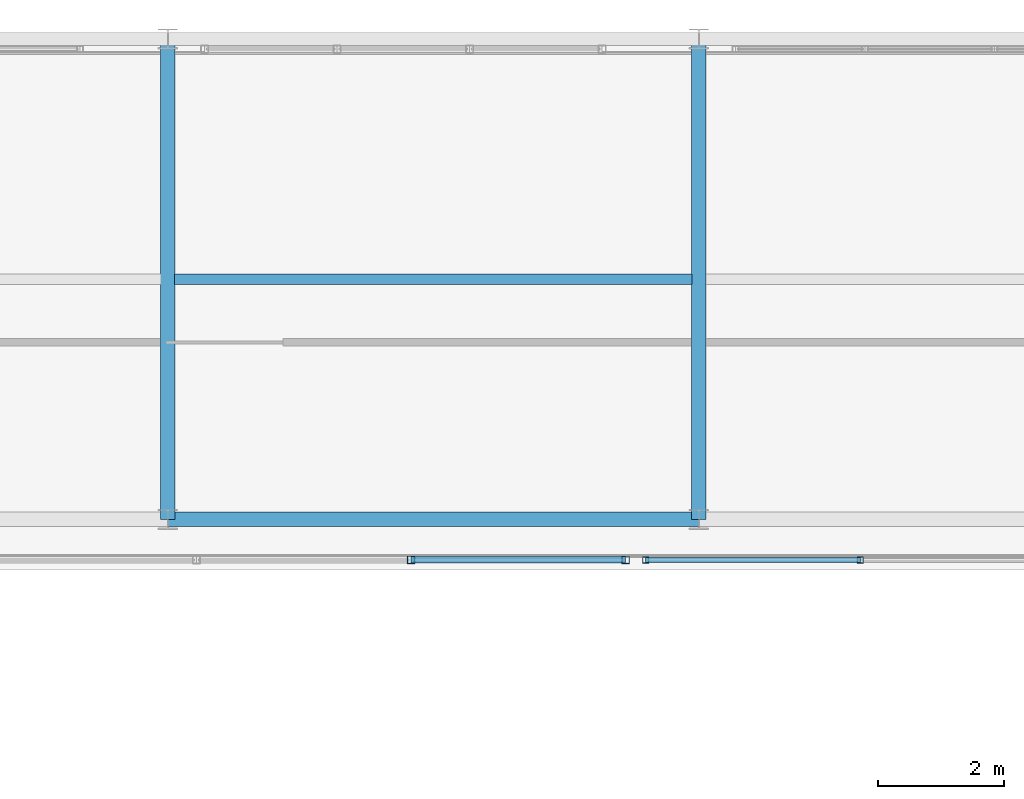
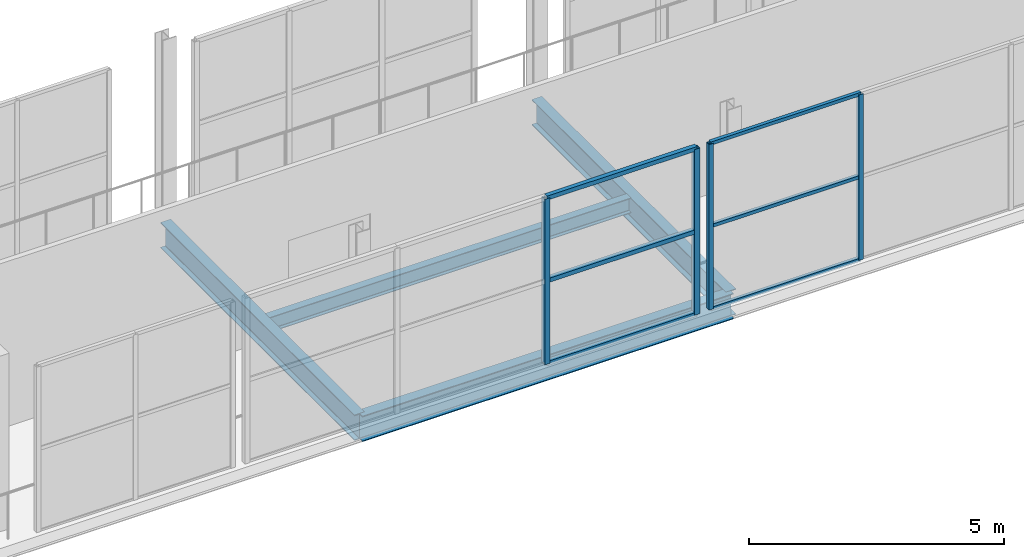
# One storey, part 78 of 151: 10 members, 4 beams, 2 elements without a shape of their own.
"""IFC4 building model written with IfcOpenShell, lengths in metres."""

from ifc_helpers import new_model, si_unit, direction, frame, origin, origin_2d, place, context, subcontext, project, spatial, hollow_rectangle, i_section, extrude, material, material_profile, profile_set, type_object, element, aggregate, save


model = new_model("IFC4")

# Units and contexts
model_context = context("Model", 3, precision=1e-05, world=origin(), true_north=direction((0.0, 1.0)))
body_context = subcontext(model_context, "Body", "Model", "MODEL_VIEW")
ifc_project = project(units=[si_unit("LENGTHUNIT", "METRE"), si_unit("AREAUNIT", "SQUARE_METRE"), si_unit("VOLUMEUNIT", "CUBIC_METRE"), si_unit("PLANEANGLEUNIT", "RADIAN"), si_unit("MASSUNIT", "GRAM", prefix="KILO")], contexts=[model_context])

# Site, building, storey
site_placement = place(None, origin())
site = spatial("IfcSite", under=ifc_project, at=site_placement, CompositionType="ELEMENT")
building_placement = place(site_placement, origin())
building = spatial("IfcBuilding", under=site, at=building_placement, Name="Zuvorla Pavilion Media Centre", CompositionType="ELEMENT")
storey_placement = place(building_placement, frame((0.0, 0.0, 13.800048828125)))
storey = spatial("IfcBuildingStorey", under=building, at=storey_placement, Name="L03", CompositionType="ELEMENT", Elevation=13.800048828125)

# Beams
ifc_material_1 = material(Name="Steel S355", Category="steel")
ifc_material_profile_1 = material_profile(ifc_material_1, i_section(OverallWidth=0.172119140625, OverallDepth=0.35791015625, WebThickness=0.008056640625, FlangeThickness=0.012939453125, FilletRadius=0.01025390625, at=origin_2d()), Name="UB 356x171x57")
ifc_profile_set_1 = profile_set([ifc_material_profile_1], Name="Steel S355")
beam_type_1 = type_object("IfcBeamType", Name="BM-UB356", PredefinedType="JOIST", material=ifc_profile_set_1)
beam_1_placement = place(storey_placement, frame((125.70947265625, 85.800048828125, -0.43701171875), z_axis=(1.0, 0.0, 0.0), x_axis=(0.0, 1.0, 0.0)))
element("IfcBeam", 1, at=beam_1_placement, inside=storey, type_object=beam_type_1, Name="L03 joist J03 1282", PredefinedType="JOIST", context=body_context, shape_type="SweptSolid", body=[
    extrude(i_section(OverallWidth=0.172119140625, OverallDepth=0.35791015625, WebThickness=0.008056640625, FlangeThickness=0.012939453125, FilletRadius=0.01025390625, at=origin_2d()), origin(), (0.0, 0.0, 1.0), 8.180908203125),
])
ifc_material_profile_2 = material_profile(ifc_material_1, i_section(OverallWidth=0.22900390625, OverallDepth=0.6123046875, WebThickness=0.011962890625, FlangeThickness=0.01953125, FilletRadius=0.0126953125, at=origin_2d()), Name="UB 610x229x125")
ifc_profile_set_2 = profile_set([ifc_material_profile_2], Name="Steel S355")
beam_type_2 = type_object("IfcBeamType", Name="BM-UB610", PredefinedType="BEAM", material=ifc_profile_set_2)
beam_2_placement = place(storey_placement, frame((125.60009765625, 82.0, -0.564208984375), z_axis=(1.0, 0.0, 0.0), x_axis=(0.0, 1.0, 0.0)))
element("IfcBeam", 2, at=beam_2_placement, inside=storey, type_object=beam_type_2, Name="L03 beam B07 1127", PredefinedType="BEAM", context=body_context, shape_type="SweptSolid", body=[
    extrude(i_section(OverallWidth=0.22900390625, OverallDepth=0.6123046875, WebThickness=0.011962890625, FlangeThickness=0.01953125, FilletRadius=0.0126953125, at=origin_2d()), origin(), (0.0, 0.0, 1.0), 8.39990234375),
])
for number, where, z_axis, x_axis, name in (
    (3, (125.60009765625, 82.0, -0.564208984375), (0.0, 1.0, 0.0), (-1.0, 0.0, 0.0), "L03 beam B07 1215"),
    (4, (134.0, 82.0, -0.564208984375), (0.0, 1.0, 0.0), (-1.0, 0.0, 0.0), "L03 beam B07 1217"),
):
    element("IfcBeam", number, at=place(storey_placement, frame(where, z_axis=z_axis, x_axis=x_axis)), inside=storey, type_object=beam_type_2, Name=name, PredefinedType="BEAM", context=body_context, shape_type="SweptSolid", body=[
        extrude(i_section(OverallWidth=0.22900390625, OverallDepth=0.6123046875, WebThickness=0.011962890625, FlangeThickness=0.01953125, FilletRadius=0.0126953125, at=origin_2d()), origin(), (0.0, 0.0, 1.0), 7.60009765625),
    ])

# Curtain wall, members
ifc_material_2 = material(Name="Unitised anodised aluminium and solar glass curtain wall", Category="aluminium")
curtain_wall_type_1 = type_object("IfcCurtainWallType", Name="CW-SYS-33", PredefinedType="USERDEFINED", material=ifc_material_2)
curtain_wall_1_placement = place(storey_placement, origin())
curtain_wall_1 = element("IfcCurtainWall", 5, at=curtain_wall_1_placement, inside=storey, type_object=curtain_wall_type_1, Name="L03 curtain wall CW33 182", ObjectType="CURTAIN WALL", PredefinedType="USERDEFINED")
ifc_material_3 = material(Name="Anodised aluminium 6063-T6", Category="aluminium")
ifc_material_profile_3 = material_profile(ifc_material_3, hollow_rectangle(XDim=0.10009765625, YDim=0.10009765625, WallThickness=0.00439453125, at=origin_2d()), Name="ALU MULL 100x100")
ifc_profile_set_3 = profile_set([ifc_material_profile_3], Name="Anodised aluminium 6063-T6")
member_type_1 = type_object("IfcMemberType", Name="CW-MULL-100", PredefinedType="MULLION", material=ifc_profile_set_3)
member_1_placement = place(storey_placement, frame((136.55322265625, 81.360107421875, 0.0), z_axis=(0.0, 0.0, 1.0), x_axis=(1.0, 0.0, 0.0)))
member_1 = element("IfcMember", 6, at=member_1_placement, type_object=member_type_1, Name="CW33 mullion 3", PredefinedType="MULLION", context=body_context, shape_type="SweptSolid", body=[
    extrude(hollow_rectangle(XDim=0.10009765625, YDim=0.10009765625, WallThickness=0.00439453125, at=origin_2d()), origin(), (0.0, 0.0, 1.0), 3.9599609375),
])
member_2_placement = place(storey_placement, frame((133.159912109375, 81.360107421875, 0.0), z_axis=(0.0, 0.0, 1.0), x_axis=(1.0, 0.0, 0.0)))
member_2 = element("IfcMember", 7, at=member_2_placement, type_object=member_type_1, Name="CW33 mullion 4", PredefinedType="MULLION", context=body_context, shape_type="SweptSolid", body=[
    extrude(hollow_rectangle(XDim=0.10009765625, YDim=0.10009765625, WallThickness=0.00439453125, at=origin_2d()), origin(), (0.0, 0.0, 1.0), 3.9599609375),
])

curtain_wall_type_2 = type_object("IfcCurtainWallType", Name="CW-SYS-30", PredefinedType="USERDEFINED", material=ifc_material_2)
curtain_wall_2_placement = place(storey_placement, origin())
curtain_wall_2 = element("IfcCurtainWall", 8, at=curtain_wall_2_placement, inside=storey, type_object=curtain_wall_type_2, Name="L03 curtain wall CW30 180", ObjectType="CURTAIN WALL", PredefinedType="USERDEFINED")
ifc_material_profile_4 = material_profile(ifc_material_3, hollow_rectangle(XDim=0.1201171875, YDim=0.1201171875, WallThickness=0.0048828125, at=origin_2d()), Name="ALU MULL 120x120")
ifc_profile_set_4 = profile_set([ifc_material_profile_4], Name="Anodised aluminium 6063-T6")
member_type_2 = type_object("IfcMemberType", Name="CW-MULL-120", PredefinedType="MULLION", material=ifc_profile_set_4)
member_3_placement = place(storey_placement, frame((132.840087890625, 81.360107421875, 0.0), z_axis=(0.0, 0.0, 1.0), x_axis=(1.0, 0.0, 0.0)))
member_3 = element("IfcMember", 9, at=member_3_placement, type_object=member_type_2, Name="CW30 mullion 1", PredefinedType="MULLION", context=body_context, shape_type="SweptSolid", body=[
    extrude(hollow_rectangle(XDim=0.1201171875, YDim=0.1201171875, WallThickness=0.0048828125, at=origin_2d()), origin(), (0.0, 0.0, 1.0), 3.9599609375),
])
member_4_placement = place(storey_placement, frame((129.44677734375, 81.360107421875, 0.0), z_axis=(0.0, 0.0, 1.0), x_axis=(1.0, 0.0, 0.0)))
member_4 = element("IfcMember", 10, at=member_4_placement, type_object=member_type_2, Name="CW30 mullion 2", PredefinedType="MULLION", context=body_context, shape_type="SweptSolid", body=[
    extrude(hollow_rectangle(XDim=0.1201171875, YDim=0.1201171875, WallThickness=0.0048828125, at=origin_2d()), origin(), (0.0, 0.0, 1.0), 3.9599609375),
])
ifc_material_profile_5 = material_profile(ifc_material_3, hollow_rectangle(XDim=0.10009765625, YDim=0.10009765625, WallThickness=0.00439453125, at=origin_2d()), Name="ALU TRAN 100x100")
ifc_profile_set_5 = profile_set([ifc_material_profile_5], Name="Anodised aluminium 6063-T6")
member_type_3 = type_object("IfcMemberType", Name="CW-TRAN-100", PredefinedType="USERDEFINED", material=ifc_profile_set_5)
member_5_placement = place(storey_placement, frame((132.840087890625, 81.360107421875, 0.0), z_axis=(-1.0, 0.0, 0.0), x_axis=(0.0, -1.0, 0.0)))
member_5 = element("IfcMember", 11, at=member_5_placement, type_object=member_type_3, Name="CW30 transom 1.1", ObjectType="TRANSOM", PredefinedType="USERDEFINED", context=body_context, shape_type="SweptSolid", body=[
    extrude(hollow_rectangle(XDim=0.10009765625, YDim=0.10009765625, WallThickness=0.00439453125, at=origin_2d()), origin(), (0.0, 0.0, 1.0), 3.393310546875),
])
member_6_placement = place(storey_placement, frame((132.840087890625, 81.360107421875, 1.97998046875), z_axis=(-1.0, 0.0, 0.0), x_axis=(0.0, -1.0, 0.0)))
member_6 = element("IfcMember", 12, at=member_6_placement, type_object=member_type_3, Name="CW30 transom 1.2", ObjectType="TRANSOM", PredefinedType="USERDEFINED", context=body_context, shape_type="SweptSolid", body=[
    extrude(hollow_rectangle(XDim=0.10009765625, YDim=0.10009765625, WallThickness=0.00439453125, at=origin_2d()), origin(), (0.0, 0.0, 1.0), 3.393310546875),
])
member_7_placement = place(storey_placement, frame((132.840087890625, 81.360107421875, 3.9599609375), z_axis=(-1.0, 0.0, 0.0), x_axis=(0.0, -1.0, 0.0)))
member_7 = element("IfcMember", 13, at=member_7_placement, type_object=member_type_3, Name="CW30 transom 1.3", ObjectType="TRANSOM", PredefinedType="USERDEFINED", context=body_context, shape_type="SweptSolid", body=[
    extrude(hollow_rectangle(XDim=0.10009765625, YDim=0.10009765625, WallThickness=0.00439453125, at=origin_2d()), origin(), (0.0, 0.0, 1.0), 3.393310546875),
])
aggregate(curtain_wall_2, [member_3, member_4, member_5, member_6, member_7])

# Member
ifc_material_profile_6 = material_profile(ifc_material_3, hollow_rectangle(XDim=0.080078125, YDim=0.080078125, WallThickness=0.00390625, at=origin_2d()), Name="ALU TRAN 80x80")
ifc_profile_set_6 = profile_set([ifc_material_profile_6], Name="Anodised aluminium 6063-T6")
member_type_4 = type_object("IfcMemberType", Name="CW-TRAN-80", PredefinedType="USERDEFINED", material=ifc_profile_set_6)
member_8_placement = place(storey_placement, frame((136.55322265625, 81.360107421875, 0.0), z_axis=(-1.0, 0.0, 0.0), x_axis=(0.0, -1.0, 0.0)))
member_8 = element("IfcMember", 14, at=member_8_placement, type_object=member_type_4, Name="CW33 transom 3.1", ObjectType="TRANSOM", PredefinedType="USERDEFINED", context=body_context, shape_type="SweptSolid", body=[
    extrude(hollow_rectangle(XDim=0.080078125, YDim=0.080078125, WallThickness=0.00390625, at=origin_2d()), origin(), (0.0, 0.0, 1.0), 3.393310546875),
])

member_9_placement = place(storey_placement, frame((136.55322265625, 81.360107421875, 1.97998046875), z_axis=(-1.0, 0.0, 0.0), x_axis=(0.0, -1.0, 0.0)))
member_9 = element("IfcMember", 15, at=member_9_placement, type_object=member_type_4, Name="CW33 transom 3.2", ObjectType="TRANSOM", PredefinedType="USERDEFINED", context=body_context, shape_type="SweptSolid", body=[
    extrude(hollow_rectangle(XDim=0.080078125, YDim=0.080078125, WallThickness=0.00390625, at=origin_2d()), origin(), (0.0, 0.0, 1.0), 3.393310546875),
])

member_10_placement = place(storey_placement, frame((136.55322265625, 81.360107421875, 3.9599609375), z_axis=(-1.0, 0.0, 0.0), x_axis=(0.0, -1.0, 0.0)))
member_10 = element("IfcMember", 16, at=member_10_placement, type_object=member_type_4, Name="CW33 transom 3.3", ObjectType="TRANSOM", PredefinedType="USERDEFINED", context=body_context, shape_type="SweptSolid", body=[
    extrude(hollow_rectangle(XDim=0.080078125, YDim=0.080078125, WallThickness=0.00390625, at=origin_2d()), origin(), (0.0, 0.0, 1.0), 3.393310546875),
])

aggregate(curtain_wall_1, [member_1, member_2, member_8, member_9, member_10])

save(model, "model.ifc")
